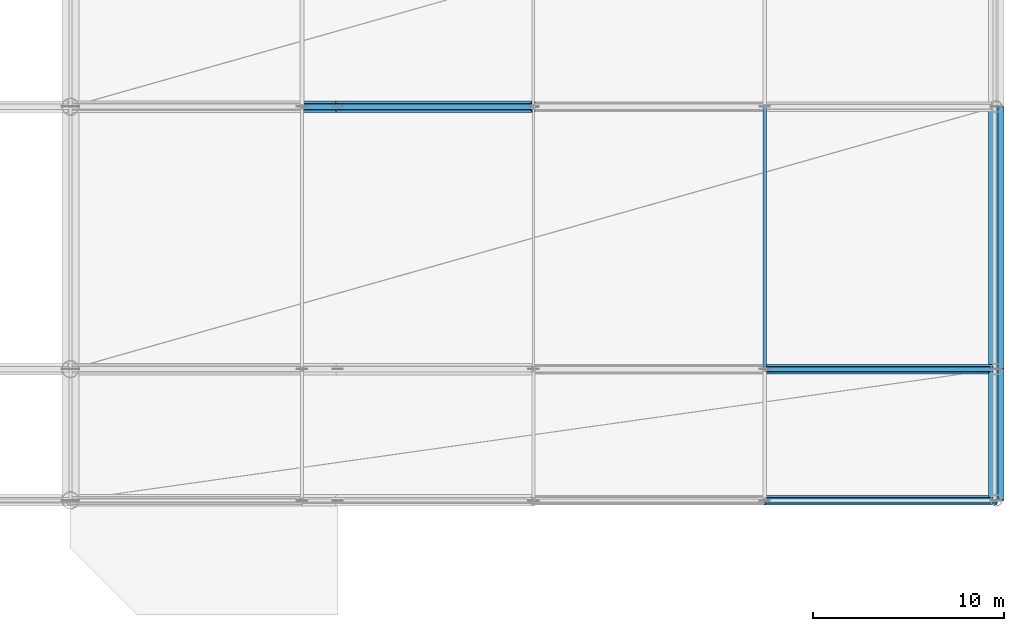
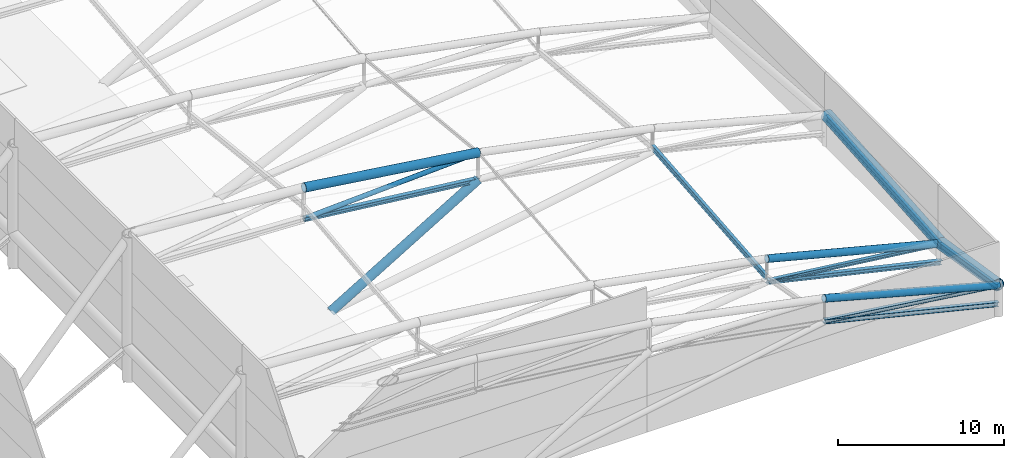
# One storey, part 9 of 36: 13 members, 2 beams.
"""IFC4 building model written with IfcOpenShell, lengths in metres."""

from ifc_helpers import new_model, si_unit, direction, frame, origin, origin_2d, place, context, subcontext, project, spatial, hollow_circle, i_section, extrude, material, material_profile, profile_set, type_object, element, save


model = new_model("IFC4")

# Units and contexts
model_context = context("Model", 3, precision=1e-05, world=origin(), true_north=direction((0.0, 1.0)))
body_context = subcontext(model_context, "Body", "Model", "MODEL_VIEW")
ifc_project = project(units=[si_unit("LENGTHUNIT", "METRE"), si_unit("AREAUNIT", "SQUARE_METRE"), si_unit("VOLUMEUNIT", "CUBIC_METRE"), si_unit("PLANEANGLEUNIT", "RADIAN"), si_unit("MASSUNIT", "GRAM", prefix="KILO")], contexts=[model_context])

# Site, building, storey
site_placement = place(None, origin())
site = spatial("IfcSite", under=ifc_project, at=site_placement, CompositionType="ELEMENT")
building_placement = place(site_placement, origin())
building = spatial("IfcBuilding", under=site, at=building_placement, Name="Linyun Crest Stadium", CompositionType="ELEMENT")
storey_placement = place(building_placement, frame((0.0, 0.0, 31.60009765625)))
storey = spatial("IfcBuildingStorey", under=building, at=storey_placement, Name="RF", CompositionType="ELEMENT", Elevation=31.60009765625)

# Beams
ifc_material_1 = material(Name="Steel Q420C", Category="steel")
ifc_material_profile_1 = material_profile(ifc_material_1, hollow_circle(Radius=0.406494140625, WallThickness=0.035888671875, at=origin_2d()), Name="CHS 813x36")
ifc_profile_set_1 = profile_set([ifc_material_profile_1], Name="Steel Q420C")
beam_type = type_object("IfcBeamType", Name="HB01", PredefinedType="USERDEFINED", material=ifc_profile_set_1)
beam_1_placement = place(storey_placement, frame((-35.5, -46.0, 2.15283203125), z_axis=(0.0, 0.987328801803, -0.158687860688), x_axis=(-1.0, 0.0, 0.0)))
element("IfcBeam", 1, at=beam_1_placement, inside=storey, type_object=beam_type, Name="Roof Inner tension ring beam HB01 V1 1", ObjectType="RING BEAM", PredefinedType="USERDEFINED", context=body_context, shape_type="SweptSolid", body=[
    extrude(hollow_circle(Radius=0.406494140625, WallThickness=0.035888671875, at=origin_2d()), origin(), (0.0, 0.0, 1.0), 6.963134765625),
])
beam_2_placement = place(storey_placement, frame((-35.5, -39.125, 1.0478515625), z_axis=(0.0, 0.996786513506, 0.080103973014), x_axis=(-1.0, 0.0, 0.0)))
element("IfcBeam", 2, at=beam_2_placement, inside=storey, type_object=beam_type, Name="Roof Inner tension ring beam HB01 V1 3", ObjectType="RING BEAM", PredefinedType="USERDEFINED", context=body_context, shape_type="SweptSolid", body=[
    extrude(hollow_circle(Radius=0.406494140625, WallThickness=0.035888671875, at=origin_2d()), origin(), (0.0, 0.0, 1.0), 13.79443359375),
])

# Members
ifc_material_2 = material(Name="Steel Q355B", Category="steel")
ifc_material_profile_2 = material_profile(ifc_material_2, i_section(OverallWidth=0.199951171875, OverallDepth=0.39990234375, WebThickness=0.008056640625, FlangeThickness=0.012939453125, at=origin_2d()), Name="HN 400x200")
ifc_profile_set_2 = profile_set([ifc_material_profile_2], Name="Steel Q355B")
member_type_1 = type_object("IfcMemberType", Name="PR03", PredefinedType="PURLIN", material=ifc_profile_set_2)
member_1_placement = place(storey_placement, frame((-35.5, -46.0, 1.992919921875), z_axis=(0.0, 0.987328801803, -0.158687860688), x_axis=(-1.0, 0.0, 0.0)))
element("IfcMember", 3, at=member_1_placement, inside=storey, type_object=member_type_1, Name="Roof canopy purlin PR03 V1 155", PredefinedType="PURLIN", context=body_context, shape_type="SweptSolid", body=[
    extrude(i_section(OverallWidth=0.199951171875, OverallDepth=0.39990234375, WebThickness=0.008056640625, FlangeThickness=0.012939453125, at=origin_2d()), origin(), (0.0, 0.0, 1.0), 6.963134765625),
])
member_2_placement = place(storey_placement, frame((-47.625, -39.125, 2.80078125), z_axis=(0.0, 0.995866058674, 0.090833876836), x_axis=(-1.0, 0.0, 0.0)))
element("IfcMember", 4, at=member_2_placement, inside=storey, type_object=member_type_1, Name="Roof canopy purlin PR03 V1 158", PredefinedType="PURLIN", context=body_context, shape_type="SweptSolid", body=[
    extrude(i_section(OverallWidth=0.199951171875, OverallDepth=0.39990234375, WebThickness=0.008056640625, FlangeThickness=0.012939453125, at=origin_2d()), origin(), (0.0, 0.0, 1.0), 13.80712890625),
])
ifc_material_3 = material(Name="Steel Q355B", Category="steel")
ifc_material_profile_3 = material_profile(ifc_material_3, i_section(OverallWidth=0.199951171875, OverallDepth=0.449951171875, WebThickness=0.009033203125, FlangeThickness=0.013916015625, at=origin_2d()), Name="HN 450x200")
ifc_profile_set_3 = profile_set([ifc_material_profile_3], Name="Steel Q355B")
member_type_2 = type_object("IfcMemberType", Name="PR04", PredefinedType="PURLIN", material=ifc_profile_set_3)
member_3_placement = place(storey_placement, frame((-35.5, -39.125, 0.86279296875), z_axis=(0.0, 0.996785100179, 0.080121558035), x_axis=(-1.0, 0.0, 0.0)))
element("IfcMember", 5, at=member_3_placement, inside=storey, type_object=member_type_2, Name="Roof canopy purlin PR04 V1 159", PredefinedType="PURLIN", context=body_context, shape_type="SweptSolid", body=[
    extrude(i_section(OverallWidth=0.199951171875, OverallDepth=0.449951171875, WebThickness=0.009033203125, FlangeThickness=0.013916015625, at=origin_2d()), origin(), (0.0, 0.0, 1.0), 13.79443359375),
])
ifc_material_4 = material(Name="Steel Q420C", Category="steel")
ifc_material_profile_4 = material_profile(ifc_material_4, hollow_circle(Radius=0.25390625, WallThickness=0.02490234375, at=origin_2d()), Name="CHS 508x25")
ifc_profile_set_4 = profile_set([ifc_material_profile_4], Name="Steel Q420C")
member_type_3 = type_object("IfcMemberType", Name="TC01", PredefinedType="CHORD", material=ifc_profile_set_4)
member_4_placement = place(storey_placement, frame((-47.625, -46.0, 5.414794921875), z_axis=(0.965664927757, 0.0, -0.25979077601), x_axis=(0.0, 1.0, 0.0)))
element("IfcMember", 6, at=member_4_placement, inside=storey, type_object=member_type_3, Name="Roof truss top chord TC01 V1 14", PredefinedType="CHORD", context=body_context, shape_type="SweptSolid", body=[
    extrude(hollow_circle(Radius=0.25390625, WallThickness=0.02490234375, at=origin_2d()), origin(), (0.0, 0.0, 1.0), 12.55615234375),
])
member_5_placement = place(storey_placement, frame((-47.625, -39.125, 4.160888671875), z_axis=(0.968585734895, 0.0, -0.248679862791), x_axis=(0.0, 1.0, 0.0)))
element("IfcMember", 7, at=member_5_placement, inside=storey, type_object=member_type_3, Name="Roof truss top chord TC01 V1 33", PredefinedType="CHORD", context=body_context, shape_type="SweptSolid", body=[
    extrude(hollow_circle(Radius=0.25390625, WallThickness=0.02490234375, at=origin_2d()), origin(), (0.0, 0.0, 1.0), 12.518310546875),
])
ifc_material_5 = material(Name="Steel Q420C", Category="steel")
ifc_material_profile_5 = material_profile(ifc_material_5, hollow_circle(Radius=0.304931640625, WallThickness=0.030029296875, at=origin_2d()), Name="CHS 610x30")
ifc_profile_set_5 = profile_set([ifc_material_profile_5], Name="Steel Q420C")
member_type_4 = type_object("IfcMemberType", Name="TC02", PredefinedType="CHORD", material=ifc_profile_set_5)
member_6_placement = place(storey_placement, frame((-71.875, -25.375, 9.537841796875), z_axis=(0.990737434894, 0.0, -0.135791513356), x_axis=(0.0, 1.0, 0.0)))
element("IfcMember", 8, at=member_6_placement, inside=storey, type_object=member_type_4, Name="Roof truss top chord TC02 V1 44", PredefinedType="CHORD", context=body_context, shape_type="SweptSolid", body=[
    extrude(hollow_circle(Radius=0.304931640625, WallThickness=0.030029296875, at=origin_2d()), origin(), (0.0, 0.0, 1.0), 12.23828125),
])
member_7_placement = place(storey_placement, frame((-70.0, -25.375, -0.235107421875), z_axis=(0.858046043836, 0.0, 0.513572766662), x_axis=(0.0, 1.0, 0.0)))
element("IfcMember", 9, at=member_7_placement, inside=storey, type_object=member_type_4, Name="Roof arch inclined support strut TC02 V1 56", PredefinedType="CHORD", context=body_context, shape_type="SweptSolid", body=[
    extrude(hollow_circle(Radius=0.304931640625, WallThickness=0.030029296875, at=origin_2d()), origin(), (0.0, 0.0, 1.0), 11.94580078125),
])
ifc_material_6 = material(Name="Steel Q355C", Category="steel")
ifc_material_profile_6 = material_profile(ifc_material_6, i_section(OverallWidth=0.300048828125, OverallDepth=0.300048828125, WebThickness=0.010009765625, FlangeThickness=0.014892578125, at=origin_2d()), Name="HW 300x300")
ifc_profile_set_6 = profile_set([ifc_material_profile_6], Name="Steel Q355C")
member_type_5 = type_object("IfcMemberType", Name="TC03", PredefinedType="CHORD", material=ifc_profile_set_6)
member_8_placement = place(storey_placement, frame((-47.625, -46.0, 3.7509765625), z_axis=(0.971651571526, 0.0, -0.236417477254), x_axis=(0.0, 1.0, 0.0)))
element("IfcMember", 10, at=member_8_placement, inside=storey, type_object=member_type_5, Name="Roof truss bottom chord TC03 V1 15", PredefinedType="CHORD", context=body_context, shape_type="SweptSolid", body=[
    extrude(i_section(OverallWidth=0.300048828125, OverallDepth=0.300048828125, WebThickness=0.010009765625, FlangeThickness=0.014892578125, at=origin_2d()), origin(), (0.0, 0.0, 1.0), 12.478759765625),
])
member_9_placement = place(storey_placement, frame((-47.625, -39.125, 2.496826171875), z_axis=(0.974339257531, 0.0, -0.225084453561), x_axis=(0.0, 1.0, 0.0)))
element("IfcMember", 11, at=member_9_placement, inside=storey, type_object=member_type_5, Name="Roof truss bottom chord TC03 V1 34", PredefinedType="CHORD", context=body_context, shape_type="SweptSolid", body=[
    extrude(i_section(OverallWidth=0.300048828125, OverallDepth=0.300048828125, WebThickness=0.010009765625, FlangeThickness=0.014892578125, at=origin_2d()), origin(), (0.0, 0.0, 1.0), 12.4443359375),
])
member_10_placement = place(storey_placement, frame((-71.875, -25.375, 7.25), z_axis=(0.993857838706, 0.0, -0.110664341335), x_axis=(0.0, 1.0, 0.0)))
element("IfcMember", 12, at=member_10_placement, inside=storey, type_object=member_type_5, Name="Roof truss bottom chord TC03 V1 45", PredefinedType="CHORD", context=body_context, shape_type="SweptSolid", body=[
    extrude(i_section(OverallWidth=0.300048828125, OverallDepth=0.300048828125, WebThickness=0.010009765625, FlangeThickness=0.014892578125, at=origin_2d()), origin(), (0.0, 0.0, 1.0), 12.199951171875),
])
ifc_material_7 = material(Name="Steel Q355C", Category="steel")
ifc_material_profile_7 = material_profile(ifc_material_7, hollow_circle(Radius=0.16259765625, WallThickness=0.01611328125, at=origin_2d()), Name="CHS 325x16")
ifc_profile_set_7 = profile_set([ifc_material_profile_7], Name="Steel Q355C")
member_type_6 = type_object("IfcMemberType", Name="TD02", PredefinedType="BRACE", material=ifc_profile_set_7)
member_11_placement = place(storey_placement, frame((-71.875, -25.375, 7.25), z_axis=(0.998669988006, 0.0, 0.05155826855), x_axis=(0.0, 1.0, 0.0)))
element("IfcMember", 13, at=member_11_placement, inside=storey, type_object=member_type_6, Name="Roof truss diagonal TD02 V1 46", PredefinedType="BRACE", context=body_context, shape_type="SweptSolid", body=[
    extrude(hollow_circle(Radius=0.16259765625, WallThickness=0.01611328125, at=origin_2d()), origin(), (0.0, 0.0, 1.0), 12.14111328125),
])
ifc_material_8 = material(Name="Steel Q355C", Category="steel")
ifc_material_profile_8 = material_profile(ifc_material_8, i_section(OverallWidth=0.25, OverallDepth=0.25, WebThickness=0.009033203125, FlangeThickness=0.013916015625, at=origin_2d()), Name="HW 250x250")
ifc_profile_set_8 = profile_set([ifc_material_profile_8], Name="Steel Q355C")
member_type_7 = type_object("IfcMemberType", Name="TD04", PredefinedType="BRACE", material=ifc_profile_set_8)
member_12_placement = place(storey_placement, frame((-47.625, -46.0, 3.7509765625), z_axis=(0.991425189848, 0.0, -0.130675525385), x_axis=(0.0, 1.0, 0.0)))
element("IfcMember", 14, at=member_12_placement, inside=storey, type_object=member_type_7, Name="Roof truss diagonal TD04 V1 16", PredefinedType="BRACE", context=body_context, shape_type="SweptSolid", body=[
    extrude(i_section(OverallWidth=0.25, OverallDepth=0.25, WebThickness=0.009033203125, FlangeThickness=0.013916015625, at=origin_2d()), origin(), (0.0, 0.0, 1.0), 12.22998046875),
])
member_13_placement = place(storey_placement, frame((-47.625, -39.125, 2.496826171875), z_axis=(0.992935090225, 0.0, -0.118658782226), x_axis=(0.0, 1.0, 0.0)))
element("IfcMember", 15, at=member_13_placement, inside=storey, type_object=member_type_7, Name="Roof truss diagonal TD04 V1 35", PredefinedType="BRACE", context=body_context, shape_type="SweptSolid", body=[
    extrude(i_section(OverallWidth=0.25, OverallDepth=0.25, WebThickness=0.009033203125, FlangeThickness=0.013916015625, at=origin_2d()), origin(), (0.0, 0.0, 1.0), 12.211181640625),
])

save(model, "model.ifc")
